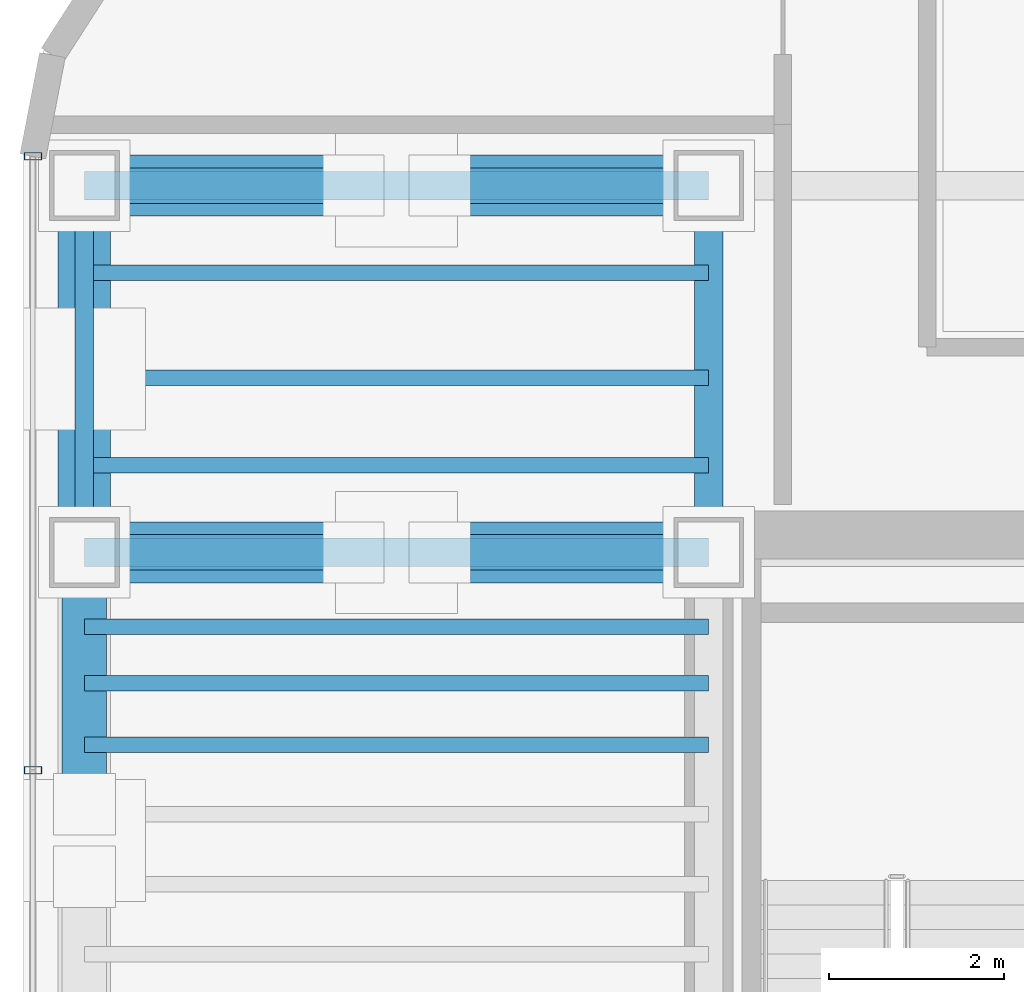
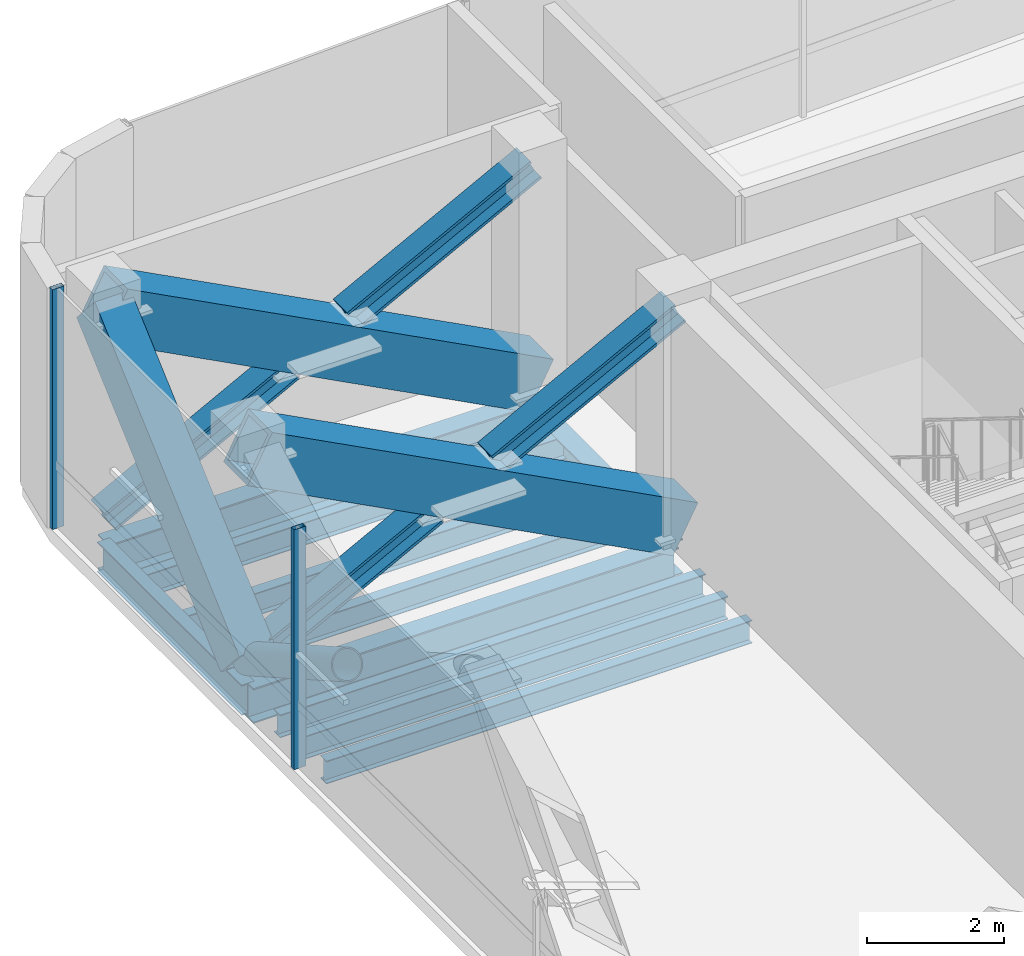
# One storey, part 8 of 19: 10 beams, 10 members, 1 element without a shape of its own.
"""IFC4 building model written with IfcOpenShell, lengths in metres."""

from ifc_helpers import new_model, si_unit, direction, frame, origin, origin_2d, place, context, subcontext, project, spatial, hollow_rectangle, hollow_circle, i_section, extrude, source, transform, mapped, material, material_profile, profile_set, type_object, element, aggregate, save


model = new_model("IFC4")

# Units and contexts
model_context = context("Model", 3, precision=1e-05, world=origin(), true_north=direction((0.0, 1.0)))
body_context = subcontext(model_context, "Body", "Model", "MODEL_VIEW")
ifc_project = project(units=[si_unit("LENGTHUNIT", "METRE"), si_unit("AREAUNIT", "SQUARE_METRE"), si_unit("VOLUMEUNIT", "CUBIC_METRE"), si_unit("PLANEANGLEUNIT", "RADIAN"), si_unit("MASSUNIT", "GRAM", prefix="KILO")], contexts=[model_context])

# Site, building, storey
site_placement = place(None, origin())
site = spatial("IfcSite", under=ifc_project, at=site_placement, CompositionType="ELEMENT")
building_placement = place(site_placement, origin())
building = spatial("IfcBuilding", under=site, at=building_placement, Name="Valdorenza Pilgrim Sanctuary Tower", CompositionType="ELEMENT")
storey_placement = place(building_placement, frame((0.0, 0.0, 261.5)))
storey = spatial("IfcBuildingStorey", under=building, at=storey_placement, Name="L68", CompositionType="ELEMENT", Elevation=261.5)

# Beams
ifc_material_1 = material(Name="Steel ASTM A992 Grade 50", Category="steel")
ifc_material_profile_1 = material_profile(ifc_material_1, i_section(OverallWidth=0.323974609375, OverallDepth=0.611083984375, WebThickness=0.0126953125, FlangeThickness=0.01904296875, at=origin_2d()), Name="W24X104")
ifc_profile_set_1 = profile_set([ifc_material_profile_1], Name="Steel ASTM A992 Grade 50")
beam_type_1 = type_object("IfcBeamType", Name="STR-BM-GRD-W24B", PredefinedType="BEAM", material=ifc_profile_set_1)
shared_shape_1 = source(origin(), body_context, "Body", "SweptSolid", [
    extrude(i_section(OverallWidth=0.323974609375, OverallDepth=0.611083984375, WebThickness=0.0126953125, FlangeThickness=0.01904296875, at=origin_2d()), origin(), (0.0, 0.0, 1.0), 4.199951171875),
])
beam_1_placement = place(storey_placement, frame((-22.64990234375, 10.60009765625, -0.54541015625), z_axis=(0.0, 1.0, 0.0), x_axis=(-1.0, 0.0, 0.0)))
element("IfcBeam", 1, at=beam_1_placement, inside=storey, type_object=beam_type_1, Name="L68 Core Tie Girder CA-W-N1N2", PredefinedType="BEAM", context=body_context, shape_type="MappedRepresentation", body=[
    mapped(shared_shape_1, transform((0.0, 0.0, 0.0), x_axis=(1.0, 0.0, 0.0), y_axis=(0.0, 1.0, 0.0), z_axis=(0.0, 0.0, 1.0), scale=1.0)),
])
ifc_material_profile_2 = material_profile(ifc_material_1, i_section(OverallWidth=0.2109375, OverallDepth=0.5390625, WebThickness=0.01171875, FlangeThickness=0.018798828125, at=origin_2d()), Name="W21X73")
ifc_profile_set_2 = profile_set([ifc_material_profile_2], Name="Steel ASTM A992 Grade 50")
beam_type_2 = type_object("IfcBeamType", Name="STR-BM-SPN-W21B", PredefinedType="SPANDREL", material=ifc_profile_set_2)
shared_shape_2 = source(origin(), body_context, "Body", "SweptSolid", [
    extrude(i_section(OverallWidth=0.2109375, OverallDepth=0.5390625, WebThickness=0.01171875, FlangeThickness=0.018798828125, at=origin_2d()), origin(), (0.0, 0.0, 1.0), 4.199951171875),
])
beam_2_placement = place(storey_placement, frame((-29.800048828125, 10.60009765625, -0.509521484375), z_axis=(0.0, 1.0, 0.0), x_axis=(-1.0, 0.0, 0.0)))
element("IfcBeam", 2, at=beam_2_placement, inside=storey, type_object=beam_type_2, Name="L68 Spandrel Beam WA-W-N1N2", PredefinedType="SPANDREL", context=body_context, shape_type="MappedRepresentation", body=[
    mapped(shared_shape_2, transform((0.0, 0.0, 0.0), x_axis=(1.0, 0.0, 0.0), y_axis=(0.0, 1.0, 0.0), z_axis=(0.0, 0.0, 1.0), scale=1.0)),
])
ifc_material_profile_3 = material_profile(ifc_material_1, i_section(OverallWidth=0.177978515625, OverallDepth=0.406005859375, WebThickness=0.0078125, FlangeThickness=0.0126953125, at=origin_2d()), Name="W16X40")
ifc_profile_set_3 = profile_set([ifc_material_profile_3], Name="Steel ASTM A992 Grade 50")
beam_type_3 = type_object("IfcBeamType", Name="STR-BM-JST-W16", PredefinedType="JOIST", material=ifc_profile_set_3)
shared_shape_3 = source(origin(), body_context, "Body", "SweptSolid", [
    extrude(i_section(OverallWidth=0.177978515625, OverallDepth=0.406005859375, WebThickness=0.0078125, FlangeThickness=0.0126953125, at=origin_2d()), origin(), (0.0, 0.0, 1.0), 7.150146484375),
])
for number, where, z_axis, x_axis, name in (
    (3, (-29.800048828125, 8.39990234375, -0.443115234375), (1.0, 0.0, 0.0), (0.0, 1.0, 0.0), "L68 Composite Floor Joist JST-WA-21"),
    (4, (-29.800048828125, 9.10009765625, -0.443115234375), (1.0, 0.0, 0.0), (0.0, 1.0, 0.0), "L68 Composite Floor Joist JST-WA-22"),
    (5, (-29.800048828125, 9.75, -0.443115234375), (1.0, 0.0, 0.0), (0.0, 1.0, 0.0), "L68 Composite Floor Joist JST-WA-23"),
    (6, (-29.800048828125, 11.60009765625, -0.443115234375), (1.0, 0.0, 0.0), (0.0, 1.0, 0.0), "L68 Composite Floor Joist JST-WA-24"),
    (7, (-29.800048828125, 12.60009765625, -0.443115234375), (1.0, 0.0, 0.0), (0.0, 1.0, 0.0), "L68 Composite Floor Joist JST-WA-25"),
    (8, (-29.800048828125, 13.800048828125, -0.443115234375), (1.0, 0.0, 0.0), (0.0, 1.0, 0.0), "L68 Composite Floor Joist JST-WA-26"),
):
    element("IfcBeam", number, at=place(storey_placement, frame(where, z_axis=z_axis, x_axis=x_axis)), inside=storey, type_object=beam_type_3, Name=name, PredefinedType="JOIST", context=body_context, shape_type="MappedRepresentation", body=[
        mapped(shared_shape_3, transform((0.0, 0.0, 0.0), x_axis=(1.0, 0.0, 0.0), y_axis=(0.0, 1.0, 0.0), z_axis=(0.0, 0.0, 1.0), scale=1.0)),
    ])
ifc_material_profile_4 = material_profile(ifc_material_1, i_section(OverallWidth=0.326904296875, OverallDepth=0.6220703125, WebThickness=0.015380859375, FlangeThickness=0.0244140625, at=origin_2d()), Name="W24X131")
ifc_profile_set_4 = profile_set([ifc_material_profile_4], Name="Steel ASTM A992 Grade 50")
beam_type_4 = type_object("IfcBeamType", Name="STR-BM-GRD-W24A", PredefinedType="BEAM", material=ifc_profile_set_4)
shared_shape_4 = source(origin(), body_context, "Body", "SweptSolid", [
    extrude(i_section(OverallWidth=0.326904296875, OverallDepth=0.6220703125, WebThickness=0.015380859375, FlangeThickness=0.0244140625, at=origin_2d()), origin(), (0.0, 0.0, 1.0), 7.150146484375),
])
for number, where, z_axis, x_axis, name in (
    (9, (-29.800048828125, 10.60009765625, -0.551025390625), (1.0, 0.0, 0.0), (0.0, 1.0, 0.0), "L68 Floor Girder WA-XW-N1"),
    (10, (-29.800048828125, 14.800048828125, -0.551025390625), (1.0, 0.0, 0.0), (0.0, 1.0, 0.0), "L68 Floor Girder WA-XW-N2"),
):
    element("IfcBeam", number, at=place(storey_placement, frame(where, z_axis=z_axis, x_axis=x_axis)), inside=storey, type_object=beam_type_4, Name=name, PredefinedType="BEAM", context=body_context, shape_type="MappedRepresentation", body=[
        mapped(shared_shape_4, transform((0.0, 0.0, 0.0), x_axis=(1.0, 0.0, 0.0), y_axis=(0.0, 1.0, 0.0), z_axis=(0.0, 0.0, 1.0), scale=1.0)),
    ])

# Members
ifc_material_2 = material(Name="Steel ASTM A572 Grade 42", Category="steel")
ifc_material_profile_5 = material_profile(ifc_material_2, hollow_rectangle(XDim=0.699951171875, YDim=0.89990234375, WallThickness=0.070068359375, at=origin_2d()), Name="BOX 900x700x70")
ifc_profile_set_5 = profile_set([ifc_material_profile_5], Name="Steel ASTM A572 Grade 42")
member_type_1 = type_object("IfcMemberType", Name="STR-MB-OUT-BOX900", PredefinedType="BRACE", material=ifc_profile_set_5)
shared_shape_5 = source(origin(), body_context, "Body", "SweptSolid", [
    extrude(hollow_rectangle(XDim=0.699951171875, YDim=0.89990234375, WallThickness=0.070068359375, at=origin_2d()), origin(), (0.0, 0.0, 1.0), 8.07373046875),
])
for number, where, z_axis, x_axis, name in (
    (11, (-22.64990234375, 10.60009765625, 0.199951171875), (-0.885592900523, 0.0, 0.464462285384), (0.0, -1.0, 0.0), "L68 Outrigger Truss Diagonal WA3A"),
    (12, (-22.64990234375, 14.800048828125, 0.199951171875), (-0.885592900523, 0.0, 0.464462285384), (0.0, -1.0, 0.0), "L68 Outrigger Truss Diagonal WA4A"),
):
    element("IfcMember", number, at=place(storey_placement, frame(where, z_axis=z_axis, x_axis=x_axis)), inside=storey, type_object=member_type_1, Name=name, PredefinedType="BRACE", context=body_context, shape_type="MappedRepresentation", body=[
        mapped(shared_shape_5, transform((0.0, 0.0, 0.0), x_axis=(1.0, 0.0, 0.0), y_axis=(0.0, 1.0, 0.0), z_axis=(0.0, 0.0, 1.0), scale=1.0)),
    ])
ifc_material_profile_6 = material_profile(ifc_material_1, i_section(OverallWidth=0.406005859375, OverallDepth=0.416015625, WebThickness=0.02978515625, FlangeThickness=0.048095703125, at=origin_2d()), Name="W14X257")
ifc_profile_set_6 = profile_set([ifc_material_profile_6], Name="Steel ASTM A992 Grade 50")
member_type_2 = type_object("IfcMemberType", Name="STR-MB-OUT-W257", PredefinedType="BRACE", material=ifc_profile_set_6)
shared_shape_6 = source(origin(), body_context, "Body", "SweptSolid", [
    extrude(i_section(OverallWidth=0.406005859375, OverallDepth=0.416015625, WebThickness=0.02978515625, FlangeThickness=0.048095703125, at=origin_2d()), origin(), (0.0, 0.0, 1.0), 3.47802734375),
])
for number, where, z_axis, x_axis, name in (
    (13, (-22.64990234375, 10.60009765625, 3.949951171875), (-0.885611600289, 0.0, -0.464426628687), (0.0, -1.0, 0.0), "L68 Outrigger Truss Counter-Diagonal WA3B Lower Segment"),
    (14, (-26.719970703125, 10.60009765625, 1.8154296875), (-0.885582727176, 0.0, -0.464481682445), (0.0, -1.0, 0.0), "L68 Outrigger Truss Counter-Diagonal WA3B Upper Segment"),
    (15, (-22.64990234375, 14.800048828125, 3.949951171875), (-0.885611600289, 0.0, -0.464426628687), (0.0, -1.0, 0.0), "L68 Outrigger Truss Counter-Diagonal WA4B Lower Segment"),
    (16, (-26.719970703125, 14.800048828125, 1.8154296875), (-0.885582727176, 0.0, -0.464481682445), (0.0, -1.0, 0.0), "L68 Outrigger Truss Counter-Diagonal WA4B Upper Segment"),
):
    element("IfcMember", number, at=place(storey_placement, frame(where, z_axis=z_axis, x_axis=x_axis)), inside=storey, type_object=member_type_2, Name=name, PredefinedType="BRACE", context=body_context, shape_type="MappedRepresentation", body=[
        mapped(shared_shape_6, transform((0.0, 0.0, 0.0), x_axis=(1.0, 0.0, 0.0), y_axis=(0.0, 1.0, 0.0), z_axis=(0.0, 0.0, 1.0), scale=1.0)),
    ])
ifc_material_3 = material(Name="Steel S355J2", Category="steel")
ifc_material_profile_7 = material_profile(ifc_material_3, hollow_circle(Radius=0.25390625, WallThickness=0.02001953125, at=origin_2d()), Name="CHS 508x20")
ifc_profile_set_7 = profile_set([ifc_material_profile_7], Name="Steel S355J2")
member_type_3 = type_object("IfcMemberType", Name="STR-MB-CHS-508", PredefinedType="STRUT", material=ifc_profile_set_7)
shared_shape_7 = source(origin(), body_context, "Body", "SweptSolid", [
    extrude(hollow_circle(Radius=0.25390625, WallThickness=0.02001953125, at=origin_2d()), origin(), (0.0, 0.0, 1.0), 3.31787109375),
])
member_1_placement = place(storey_placement, frame((-29.800048828125, 7.71533203125, 1.839111328125), z_axis=(0.0, 0.869445064457, -0.494029634628), x_axis=(-1.0, 0.0, 0.0)))
element("IfcMember", 17, at=member_1_placement, inside=storey, type_object=member_type_3, Name="L68 Perimeter Counter-Belt Strut CW4 Upper Segment", PredefinedType="STRUT", context=body_context, shape_type="MappedRepresentation", body=[
    mapped(shared_shape_7, transform((0.0, 0.0, 0.0), x_axis=(1.0, 0.0, 0.0), y_axis=(0.0, 1.0, 0.0), z_axis=(0.0, 0.0, 1.0), scale=1.0)),
])
ifc_material_profile_8 = material_profile(ifc_material_2, hollow_rectangle(XDim=0.60009765625, YDim=0.800048828125, WallThickness=0.06005859375, at=origin_2d()), Name="BOX 800x600x60")
ifc_profile_set_8 = profile_set([ifc_material_profile_8], Name="Steel ASTM A572 Grade 42")
member_type_4 = type_object("IfcMemberType", Name="STR-MB-BLT-BOX800", PredefinedType="BRACE", material=ifc_profile_set_8)
shared_shape_8 = source(origin(), body_context, "Body", "SweptSolid", [
    extrude(hollow_rectangle(XDim=0.60009765625, YDim=0.800048828125, WallThickness=0.06005859375, at=origin_2d()), origin(), (0.0, 0.0, 1.0), 5.63037109375),
])
member_2_placement = place(storey_placement, frame((-29.800048828125, 10.60009765625, 0.199951171875), z_axis=(0.0, 0.745933814853, 0.666020077669), x_axis=(-1.0, 0.0, 0.0)))
element("IfcMember", 18, at=member_2_placement, inside=storey, type_object=member_type_4, Name="L68 Perimeter Belt Truss Diagonal W5", PredefinedType="BRACE", context=body_context, shape_type="MappedRepresentation", body=[
    mapped(shared_shape_8, transform((0.0, 0.0, 0.0), x_axis=(1.0, 0.0, 0.0), y_axis=(0.0, 1.0, 0.0), z_axis=(0.0, 0.0, 1.0), scale=1.0)),
])

# Curtain wall, members
ifc_material_4 = material(Name="Curtain-wall IGU glazing", Category="glass")
curtain_wall_type = type_object("IfcCurtainWallType", Name="CW-SYS-02", PredefinedType="NOTDEFINED", material=ifc_material_4)
curtain_wall_placement = place(storey_placement, origin())
curtain_wall = element("IfcCurtainWall", 19, at=curtain_wall_placement, inside=storey, type_object=curtain_wall_type, Name="L68 Curtain Wall CW-L68-1-1", PredefinedType="NOTDEFINED")
ifc_material_5 = material(Name="Anodised aluminium AW-6060", Category="aluminium")
ifc_material_profile_9 = material_profile(ifc_material_5, hollow_rectangle(XDim=0.0849609375, YDim=0.199951171875, WallThickness=0.0048828125, at=origin_2d()), Name="ALU-M 200x85x5")
ifc_profile_set_9 = profile_set([ifc_material_profile_9], Name="Anodised aluminium AW-6060")
member_type_5 = type_object("IfcMemberType", Name="CW-MUL-02", PredefinedType="MULLION", material=ifc_profile_set_9)
shared_shape_9 = source(origin(), body_context, "Body", "SweptSolid", [
    extrude(hollow_rectangle(XDim=0.0849609375, YDim=0.199951171875, WallThickness=0.0048828125, at=origin_2d()), origin(), (0.0, 0.0, 1.0), 4.260009765625),
])
member_3_placement = place(storey_placement, frame((-30.389892578125, 8.105224609375, 0.0), z_axis=(0.0, 0.0, 1.0), x_axis=(0.0, 1.0, 0.0)))
member_3 = element("IfcMember", 20, at=member_3_placement, type_object=member_type_5, Name="CW-L68-1-1 Mullion 4", PredefinedType="MULLION", context=body_context, shape_type="MappedRepresentation", body=[
    mapped(shared_shape_9, transform((0.0, 0.0, 0.0), x_axis=(1.0, 0.0, 0.0), y_axis=(0.0, 1.0, 0.0), z_axis=(0.0, 0.0, 1.0), scale=1.0)),
])
member_4_placement = place(storey_placement, frame((-30.389892578125, 15.13671875, 0.0), z_axis=(0.0, 0.0, 1.0), x_axis=(0.0, 1.0, 0.0)))
member_4 = element("IfcMember", 21, at=member_4_placement, type_object=member_type_5, Name="CW-L68-1-1 Mullion 5", PredefinedType="MULLION", context=body_context, shape_type="MappedRepresentation", body=[
    mapped(shared_shape_9, transform((0.0, 0.0, 0.0), x_axis=(1.0, 0.0, 0.0), y_axis=(0.0, 1.0, 0.0), z_axis=(0.0, 0.0, 1.0), scale=1.0)),
])
aggregate(curtain_wall, [member_3, member_4])

save(model, "model.ifc")
